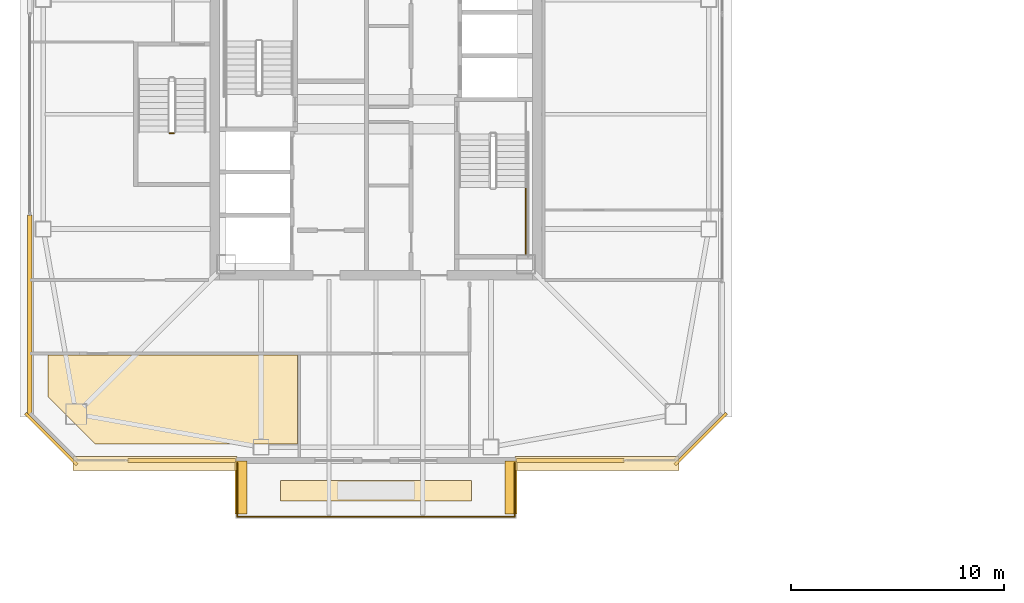
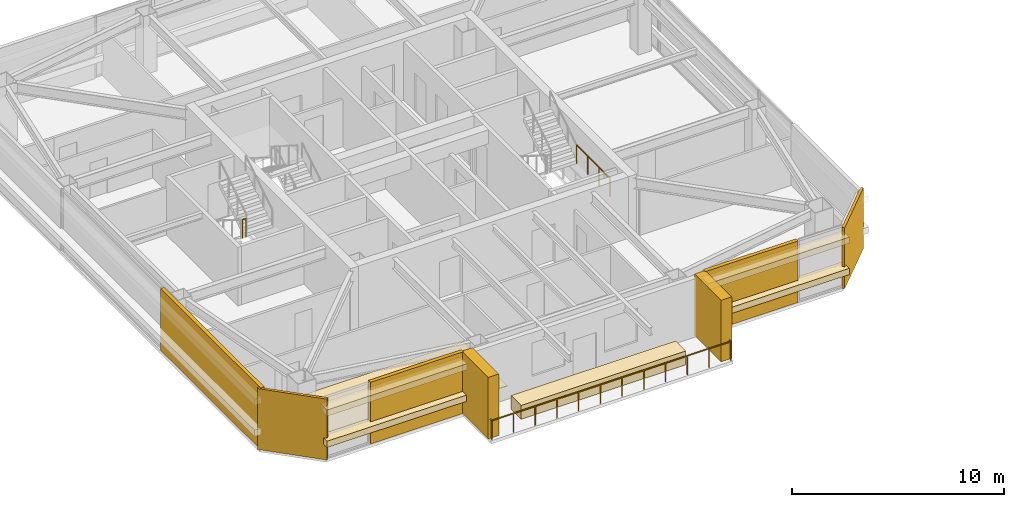
# One storey, part 34 of 40: 13 coverings, 5 railings.
"""IFC4 building model written with IfcOpenShell, lengths in metres."""

from ifc_helpers import new_model, si_unit, direction, frame, origin, origin_2d, place, context, subcontext, project, spatial, polyline, rectangle, outline, extrude, material, layer, layer_set, type_object, element, save


model = new_model("IFC4")

# Units and contexts
model_context = context("Model", 3, precision=1e-05, world=origin(), true_north=direction((0.0, 1.0)))
body_context = subcontext(model_context, "Body", "Model", "MODEL_VIEW")
ifc_project = project(units=[si_unit("LENGTHUNIT", "METRE"), si_unit("AREAUNIT", "SQUARE_METRE"), si_unit("VOLUMEUNIT", "CUBIC_METRE"), si_unit("PLANEANGLEUNIT", "RADIAN"), si_unit("MASSUNIT", "GRAM", prefix="KILO")], contexts=[model_context])

# Site, building, storey
site_placement = place(None, origin())
site = spatial("IfcSite", under=ifc_project, at=site_placement, CompositionType="ELEMENT")
building_placement = place(site_placement, origin())
building = spatial("IfcBuilding", under=site, at=building_placement, Name="Tashvorn Skyway Center", CompositionType="ELEMENT")
storey_placement = place(building_placement, frame((0.0, 0.0, 221.949951171875)))
storey = spatial("IfcBuildingStorey", under=building, at=storey_placement, Name="L60", CompositionType="ELEMENT", Elevation=221.949951171875)

# Coverings
ifc_material_1 = material(Name="Precast concrete C40/50", Category="concrete")
ifc_layer_1 = layer(ifc_material_1, 0.199951171875)
ifc_layer_set_1 = layer_set([ifc_layer_1], Name="Precast concrete C40/50")
covering_type_1 = type_object("IfcCoveringType", Name="COV-BRACE-CLAD", PredefinedType="CLADDING", material=ifc_layer_set_1)
for number, where, z_axis, x_axis, name in (
    (1, (51.126708984375, 15.719970703125, 0.0), (0.0, 0.0, 1.0), (-1.0, 0.0, 0.0), "Tower 1 L60 South Curtain Wall L Mega-Brace Cladding Band 1"),
    (2, (32.873291015625, 15.719970703125, 0.0), (0.0, 0.0, 1.0), (-1.0, 0.0, 0.0), "Tower 1 L60 South Curtain Wall R Mega-Brace Cladding Band 1"),
):
    element("IfcCovering", number, at=place(storey_placement, frame(where, z_axis=z_axis, x_axis=x_axis)), inside=storey, type_object=covering_type_1, Name=name, PredefinedType="CLADDING", context=body_context, shape_type="SweptSolid", body=[
        extrude(rectangle(XDim=5.05322265625, YDim=0.199951171875, at=origin_2d()), origin(), (0.0, 0.0, 1.0), 3.550048828125),
    ])
covering_1_placement = place(storey_placement, frame((25.719970703125, 22.546630859375, 0.0), z_axis=(0.0, 0.0, 1.0), x_axis=(0.0, 1.0, 0.0)))
element("IfcCovering", 3, at=covering_1_placement, inside=storey, type_object=covering_type_1, Name="Tower 1 L60 West Unitised Curtain Wall Mega-Brace Cladding Band 1", PredefinedType="CLADDING", context=body_context, shape_type="SweptSolid", body=[
    extrude(rectangle(XDim=9.453369140625, YDim=0.199951171875, at=origin_2d()), origin(), (0.0, 0.0, 1.0), 3.550048828125),
])
ifc_material_2 = material(Name="Polished Mojave desert-aggregate terrazzo and cover plate")
ifc_layer_2 = layer(ifc_material_2, 0.0400390625)
ifc_layer_set_2 = layer_set([ifc_layer_2], Name="Polished Mojave desert-aggregate terrazzo and cover plate")
covering_type_2 = type_object("IfcCoveringType", Name="COV-FLR-40", PredefinedType="FLOORING", material=ifc_layer_set_2)
covering_2_placement = place(storey_placement, origin())
element("IfcCovering", 4, at=covering_2_placement, inside=storey, type_object=covering_type_2, Name="Tower 1 L60 Open Plan Office Finish Flooring", PredefinedType="FLOORING", context=body_context, shape_type="SweptSolid", body=[
    extrude(outline(polyline([(28.800048828125, 16.5), (26.580078125, 18.719970703125), (26.580078125, 20.669921875), (38.320068359375, 20.669921875), (38.320068359375, 16.5), (28.800048828125, 16.5)])), origin(), (0.0, 0.0, 1.0), 0.0400390625),
])
ifc_material_3 = material(Name="Perforated ceramic-coated bronze aluminium solar screen", Category="aluminium")
ifc_layer_3 = layer(ifc_material_3, 0.85009765625)
ifc_layer_set_3 = layer_set([ifc_layer_3], Name="Perforated ceramic-coated bronze aluminium solar screen")
covering_type_3 = type_object("IfcCoveringType", Name="COV-SOLAR-BAND", PredefinedType="CLADDING", material=ifc_layer_set_3)
for number, where, z_axis, x_axis, name in (
    (5, (52.389892578125, 15.580078125, 0.919921875), (0.0, 0.0, 1.0), (-1.0, 0.0, 0.0), "L60 Perforated Ceramic-Metal Solar Screen Louvre Band South 1"),
    (6, (52.389892578125, 15.580078125, 2.72021484375), (0.0, 0.0, 1.0), (-1.0, 0.0, 0.0), "L60 Perforated Ceramic-Metal Solar Screen Louvre Band South 2"),
    (7, (31.610107421875, 15.580078125, 0.919921875), (0.0, 0.0, 1.0), (-1.0, 0.0, 0.0), "L60 Perforated Ceramic-Metal Solar Screen Louvre Band South 1"),
    (8, (31.610107421875, 15.580078125, 2.72021484375), (0.0, 0.0, 1.0), (-1.0, 0.0, 0.0), "L60 Perforated Ceramic-Metal Solar Screen Louvre Band South 2"),
):
    element("IfcCovering", number, at=place(storey_placement, frame(where, z_axis=z_axis, x_axis=x_axis)), inside=storey, type_object=covering_type_3, Name=name, PredefinedType="CLADDING", context=body_context, shape_type="SweptSolid", body=[
        extrude(rectangle(XDim=7.699951171875, YDim=0.639892578125, at=origin_2d()), origin(), (0.0, 0.0, 1.0), 0.360107421875),
    ])
ifc_layer_4 = layer(ifc_material_1, 0.35009765625)
ifc_layer_set_4 = layer_set([ifc_layer_4], Name="Precast concrete C40/50")
covering_type_4 = type_object("IfcCoveringType", Name="COV-STONE-TRIM", PredefinedType="CLADDING", material=ifc_layer_set_4)
for number, where, z_axis, x_axis, name in (
    (9, (48.35009765625, 14.449951171875, 0.0), (0.0, 0.0, 1.0), (-1.0, 0.0, 0.0), "Tower 1 L60 Sky Garden Loggia Pier L"),
    (10, (35.64990234375, 14.449951171875, 0.0), (0.0, 0.0, 1.0), (-1.0, 0.0, 0.0), "Tower 1 L60 Sky Garden Loggia Pier R"),
):
    element("IfcCovering", number, at=place(storey_placement, frame(where, z_axis=z_axis, x_axis=x_axis)), inside=storey, type_object=covering_type_4, Name=name, PredefinedType="CLADDING", context=body_context, shape_type="SweptSolid", body=[
        extrude(rectangle(XDim=0.580078125, YDim=2.5, at=origin_2d()), origin(), (0.0, 0.0, 1.0), 3.550048828125),
    ])
covering_3_placement = place(storey_placement, frame((42.0, 14.300048828125, 0.0), z_axis=(0.0, 0.0, 1.0), x_axis=(-1.0, 0.0, 0.0)))
element("IfcCovering", 11, at=covering_3_placement, inside=storey, type_object=covering_type_4, Name="Tower 1 L60 Sky Garden Stone Planter Bed", PredefinedType="CLADDING", context=body_context, shape_type="SweptSolid", body=[
    extrude(rectangle(XDim=8.97607421875, YDim=0.949951171875, at=origin_2d()), origin(), (0.0, 0.0, 1.0), 0.800048828125),
])
for number, where, z_axis, x_axis, name in (
    (12, (26.72998046875, 16.72998046875, 0.02001953125), (0.0, 0.0, 1.0), (-0.707106781187, 0.707106781187, 0.0), "Tower 1 L60 SW Mojave Limestone Corner Quoin"),
    (13, (57.27001953125, 16.72998046875, 0.02001953125), (0.0, 0.0, 1.0), (0.707106781187, 0.707106781187, 0.0), "Tower 1 L60 SE Mojave Limestone Corner Quoin"),
):
    element("IfcCovering", number, at=place(storey_placement, frame(where, z_axis=z_axis, x_axis=x_axis)), inside=storey, type_object=covering_type_4, Name=name, PredefinedType="CLADDING", context=body_context, shape_type="SweptSolid", body=[
        extrude(rectangle(XDim=3.41259765625, YDim=0.139892578125, at=origin_2d()), origin(), (0.0, 0.0, 1.0), 3.510009765625),
    ])

# Railings
ifc_material_4 = material(Name="Galvanized steel S355", Category="steel")
railing_type_1 = type_object("IfcRailingType", Name="RAIL-GUARD-1120", PredefinedType="GUARDRAIL", material=ifc_material_4)
railing_1_placement = place(storey_placement, frame((35.47998046875, 15.60009765625, 0.0)))
element("IfcRailing", 14, at=railing_1_placement, inside=storey, type_object=railing_type_1, Name="L60 Tower 1 Terrace Guardrail 01", PredefinedType="GUARDRAIL", context=body_context, shape_type="SweptSolid", body=[
    extrude(rectangle(XDim=0.048095703125, YDim=0.048095703125, at=origin_2d()), frame((0.0, 0.0, 1.09619140625), z_axis=(0.0, -1.0, 0.0), x_axis=(1.0, 0.0, 0.0)), (0.0, 0.0, 1.0), 2.52001953125),
    extrude(rectangle(XDim=0.0419921875, YDim=0.0419921875, at=origin_2d()), origin(), (0.0, 0.0, 1.0), 1.072021484375),
    extrude(rectangle(XDim=0.0419921875, YDim=0.0419921875, at=origin_2d()), frame((0.0, -0.840087890625, 0.0)), (0.0, 0.0, 1.0), 1.072021484375),
    extrude(rectangle(XDim=0.0419921875, YDim=0.0419921875, at=origin_2d()), frame((0.0, -1.679931640625, 0.0)), (0.0, 0.0, 1.0), 1.072021484375),
    extrude(rectangle(XDim=0.0419921875, YDim=0.0419921875, at=origin_2d()), frame((0.0, -2.52001953125, 0.0)), (0.0, 0.0, 1.0), 1.072021484375),
])
railing_2_placement = place(storey_placement, frame((35.47998046875, 13.080078125, 0.0)))
element("IfcRailing", 15, at=railing_2_placement, inside=storey, type_object=railing_type_1, Name="L60 Tower 1 Terrace Guardrail 02", PredefinedType="GUARDRAIL", context=body_context, shape_type="SweptSolid", body=[
    extrude(rectangle(XDim=0.048095703125, YDim=0.048095703125, at=origin_2d()), frame((0.0, 0.0, 1.09619140625), z_axis=(1.0, 0.0, 0.0), x_axis=(0.0, 1.0, 0.0)), (0.0, 0.0, 1.0), 13.0400390625),
    extrude(rectangle(XDim=0.0419921875, YDim=0.0419921875, at=origin_2d()), origin(), (0.0, 0.0, 1.0), 1.072021484375),
    extrude(rectangle(XDim=0.0419921875, YDim=0.0419921875, at=origin_2d()), frame((1.185546875, 0.0, 0.0)), (0.0, 0.0, 1.0), 1.072021484375),
    extrude(rectangle(XDim=0.0419921875, YDim=0.0419921875, at=origin_2d()), frame((2.370849609375, 0.0, 0.0)), (0.0, 0.0, 1.0), 1.072021484375),
    extrude(rectangle(XDim=0.0419921875, YDim=0.0419921875, at=origin_2d()), frame((3.556396484375, 0.0, 0.0)), (0.0, 0.0, 1.0), 1.072021484375),
    extrude(rectangle(XDim=0.0419921875, YDim=0.0419921875, at=origin_2d()), frame((4.741943359375, 0.0, 0.0)), (0.0, 0.0, 1.0), 1.072021484375),
    extrude(rectangle(XDim=0.0419921875, YDim=0.0419921875, at=origin_2d()), frame((5.92724609375, 0.0, 0.0)), (0.0, 0.0, 1.0), 1.072021484375),
    extrude(rectangle(XDim=0.0419921875, YDim=0.0419921875, at=origin_2d()), frame((7.11279296875, 0.0, 0.0)), (0.0, 0.0, 1.0), 1.072021484375),
    extrude(rectangle(XDim=0.0419921875, YDim=0.0419921875, at=origin_2d()), frame((8.298095703125, 0.0, 0.0)), (0.0, 0.0, 1.0), 1.072021484375),
    extrude(rectangle(XDim=0.0419921875, YDim=0.0419921875, at=origin_2d()), frame((9.483642578125, 0.0, 0.0)), (0.0, 0.0, 1.0), 1.072021484375),
    extrude(rectangle(XDim=0.0419921875, YDim=0.0419921875, at=origin_2d()), frame((10.669189453125, 0.0, 0.0)), (0.0, 0.0, 1.0), 1.072021484375),
    extrude(rectangle(XDim=0.0419921875, YDim=0.0419921875, at=origin_2d()), frame((11.8544921875, 0.0, 0.0)), (0.0, 0.0, 1.0), 1.072021484375),
    extrude(rectangle(XDim=0.0419921875, YDim=0.0419921875, at=origin_2d()), frame((13.0400390625, 0.0, 0.0)), (0.0, 0.0, 1.0), 1.072021484375),
])
railing_3_placement = place(storey_placement, frame((48.52001953125, 13.080078125, 0.0)))
element("IfcRailing", 16, at=railing_3_placement, inside=storey, type_object=railing_type_1, Name="L60 Tower 1 Terrace Guardrail 03", PredefinedType="GUARDRAIL", context=body_context, shape_type="SweptSolid", body=[
    extrude(rectangle(XDim=0.048095703125, YDim=0.048095703125, at=origin_2d()), frame((0.0, 0.0, 1.09619140625), z_axis=(0.0, 1.0, 0.0), x_axis=(-1.0, 0.0, 0.0)), (0.0, 0.0, 1.0), 2.52001953125),
    extrude(rectangle(XDim=0.0419921875, YDim=0.0419921875, at=origin_2d()), origin(), (0.0, 0.0, 1.0), 1.072021484375),
    extrude(rectangle(XDim=0.0419921875, YDim=0.0419921875, at=origin_2d()), frame((0.0, 0.840087890625, 0.0)), (0.0, 0.0, 1.0), 1.072021484375),
    extrude(rectangle(XDim=0.0419921875, YDim=0.0419921875, at=origin_2d()), frame((0.0, 1.679931640625, 0.0)), (0.0, 0.0, 1.0), 1.072021484375),
    extrude(rectangle(XDim=0.0419921875, YDim=0.0419921875, at=origin_2d()), frame((0.0, 2.52001953125, 0.0)), (0.0, 0.0, 1.0), 1.072021484375),
])
ifc_material_5 = material(Name="Painted galvanized steel S355", Category="steel")
railing_type_2 = type_object("IfcRailingType", Name="RAIL-STGUARD-1100", PredefinedType="GUARDRAIL", material=ifc_material_5)
railing_4_placement = place(storey_placement, frame((49.050048828125, 28.56005859375, 1.775146484375)))
element("IfcRailing", 17, at=railing_4_placement, inside=storey, type_object=railing_type_2, Name="L60 ST-T1-2 stair guard 3", PredefinedType="GUARDRAIL", context=body_context, shape_type="SweptSolid", body=[
    extrude(rectangle(XDim=0.048095703125, YDim=0.048095703125, at=origin_2d()), frame((0.0, 0.0, 1.076171875), z_axis=(0.0, -1.0, 0.0), x_axis=(1.0, 0.0, 0.0)), (0.0, 0.0, 1.0), 3.16015625),
    extrude(rectangle(XDim=0.0419921875, YDim=0.0419921875, at=origin_2d()), origin(), (0.0, 0.0, 1.0), 1.052001953125),
    extrude(rectangle(XDim=0.0419921875, YDim=0.0419921875, at=origin_2d()), frame((0.0, -1.053466796875, 0.0)), (0.0, 0.0, 1.0), 1.052001953125),
    extrude(rectangle(XDim=0.0419921875, YDim=0.0419921875, at=origin_2d()), frame((0.0, -2.106689453125, 0.0)), (0.0, 0.0, 1.0), 1.052001953125),
    extrude(rectangle(XDim=0.0419921875, YDim=0.0419921875, at=origin_2d()), frame((0.0, -3.16015625, 0.0)), (0.0, 0.0, 1.0), 1.052001953125),
])
railing_5_placement = place(storey_placement, frame((32.300048828125, 31.110107421875, 1.775146484375)))
element("IfcRailing", 18, at=railing_5_placement, inside=storey, type_object=railing_type_2, Name="L60 ST-T1-3 stair guard 2", PredefinedType="GUARDRAIL", context=body_context, shape_type="SweptSolid", body=[
    extrude(rectangle(XDim=0.048095703125, YDim=0.048095703125, at=origin_2d()), frame((0.0, 0.0, 1.076171875), z_axis=(1.0, 0.0, 0.0), x_axis=(0.0, 1.0, 0.0)), (0.0, 0.0, 1.0), 0.199951171875),
    extrude(rectangle(XDim=0.0419921875, YDim=0.0419921875, at=origin_2d()), origin(), (0.0, 0.0, 1.0), 1.052001953125),
    extrude(rectangle(XDim=0.0419921875, YDim=0.0419921875, at=origin_2d()), frame((0.199951171875, 0.0, 0.0)), (0.0, 0.0, 1.0), 1.052001953125),
])

save(model, "model.ifc")
